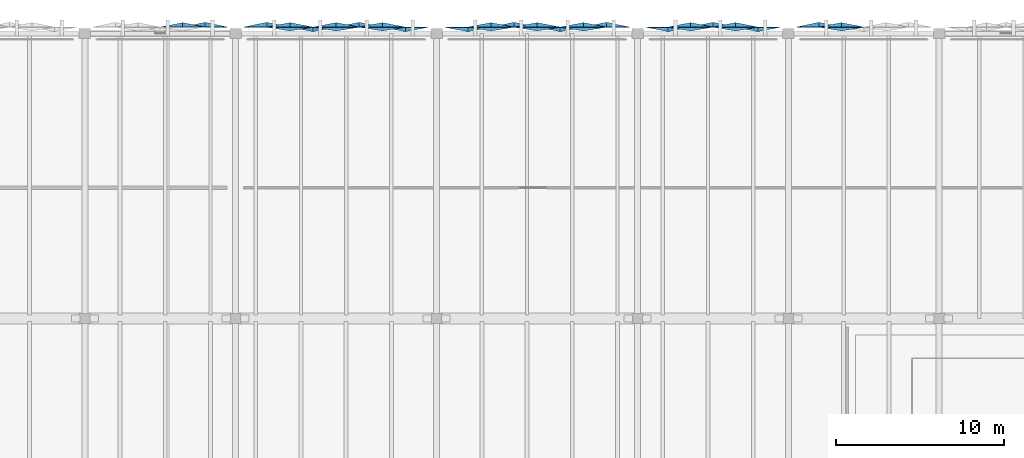
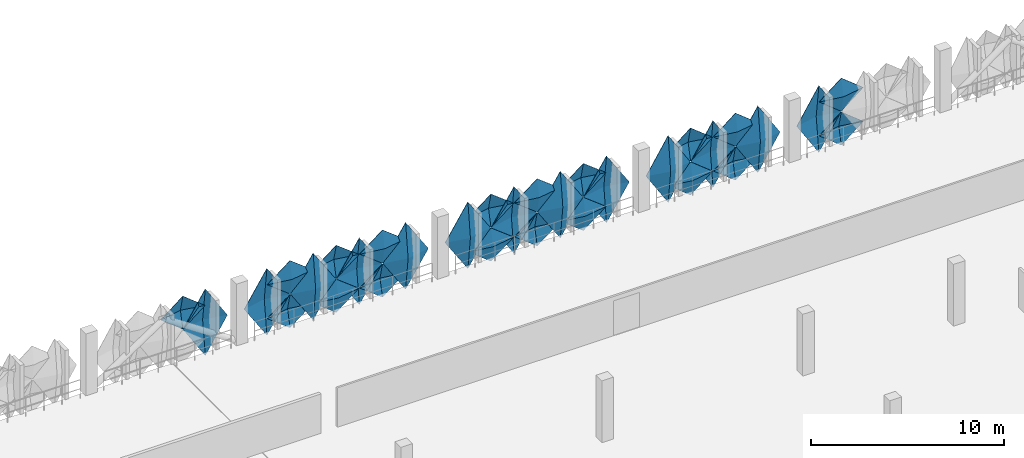
# One storey, part 42 of 52: 32 plates.
"""IFC4 building model written with IfcOpenShell, lengths in metres."""

from ifc_helpers import new_model, si_unit, derived_unit, direction, frame, origin, place, context, subcontext, project, spatial, polygons, material, layer, layer_set, type_object, element, save


model = new_model("IFC4")

# Units and contexts
model_context = context("Model", 3, precision=1e-05, world=origin(), true_north=direction((0.0, 1.0)))
body_context = subcontext(model_context, "Body", "Model", "MODEL_VIEW")
ifc_project = project(units=[si_unit("LENGTHUNIT", "METRE"), si_unit("AREAUNIT", "SQUARE_METRE"), si_unit("VOLUMEUNIT", "CUBIC_METRE"), si_unit("PLANEANGLEUNIT", "RADIAN"), si_unit("MASSUNIT", "GRAM", prefix="KILO"), si_unit("THERMODYNAMICTEMPERATUREUNIT", "KELVIN"), derived_unit("THERMALTRANSMITTANCEUNIT", [(si_unit("POWERUNIT", "WATT"), 1), (si_unit("AREAUNIT", "SQUARE_METRE"), -1), (si_unit("THERMODYNAMICTEMPERATUREUNIT", "KELVIN"), -1)])], contexts=[model_context])

# Site, building, storey
site_placement = place(None, origin())
site = spatial("IfcSite", under=ifc_project, at=site_placement, CompositionType="ELEMENT")
building_placement = place(site_placement, origin())
building = spatial("IfcBuilding", under=site, at=building_placement, Name="Haiyu Intermodal Mobility Hub", CompositionType="ELEMENT")
storey_placement = place(building_placement, frame((0.0, 0.0, 21.199951171875)))
storey = spatial("IfcBuildingStorey", under=building, at=storey_placement, Name="L05", CompositionType="ELEMENT", Elevation=21.199951171875)

# Plates
ifc_material = material(Name="Anodised aluminium 6063-T6", Category="aluminium")
ifc_layer_1 = layer(ifc_material, 0.01806640625)
ifc_layer_set_1 = layer_set([ifc_layer_1], Name="Anodised aluminium 6063-T6")
plate_type_1 = type_object("IfcPlateType", Name="PLT-FC01", PredefinedType="USERDEFINED", material=ifc_layer_set_1)
plate_1_placement = place(storey_placement, origin())
element("IfcPlate", 1, at=plate_1_placement, inside=storey, type_object=plate_type_1, Name="PLT-PYR-0330", ObjectType="FACADE CASSETTE", PredefinedType="USERDEFINED", context=body_context, shape_type="Tessellation", body=[
    polygons([(97.860107421875, 148.39990234375, -0.510009765625), (96.5, 148.39990234375, 1.60009765625), (97.860107421875, 148.39990234375, 3.7099609375), (99.219970703125, 148.39990234375, 1.60009765625), (97.860107421875, 148.679931640625, 1.60009765625), (97.860107421875, 148.3779296875, -0.510009765625), (96.5, 148.3779296875, 1.60009765625), (97.860107421875, 148.3779296875, 3.7099609375), (99.219970703125, 148.3779296875, 1.60009765625), (97.860107421875, 148.657958984375, 1.60009765625)], [[[1, 2, 5]], [[2, 3, 5]], [[3, 4, 5]], [[4, 1, 5]], [[7, 6, 10]], [[8, 7, 10]], [[9, 8, 10]], [[6, 9, 10]], [[1, 6, 7, 2]], [[2, 7, 8, 3]], [[3, 8, 9, 4]], [[4, 9, 6, 1]]], closed=True),
])
ifc_layer_2 = layer(ifc_material, 0.02001953125)
ifc_layer_set_2 = layer_set([ifc_layer_2], Name="Anodised aluminium 6063-T6")
plate_type_2 = type_object("IfcPlateType", Name="PLT-FC02", PredefinedType="USERDEFINED", material=ifc_layer_set_2)
plate_2_placement = place(storey_placement, origin())
element("IfcPlate", 2, at=plate_2_placement, inside=storey, type_object=plate_type_2, Name="PLT-PYR-0380", ObjectType="FACADE CASSETTE", PredefinedType="USERDEFINED", context=body_context, shape_type="Tessellation", body=[
    polygons([(109.860107421875, 148.39990234375, -0.510009765625), (108.5, 148.39990234375, 1.60009765625), (109.860107421875, 148.39990234375, 3.7099609375), (111.219970703125, 148.39990234375, 1.60009765625), (109.860107421875, 148.139892578125, 1.60009765625), (109.860107421875, 148.3779296875, -0.510009765625), (108.5, 148.3779296875, 1.60009765625), (109.860107421875, 148.3779296875, 3.7099609375), (111.219970703125, 148.3779296875, 1.60009765625), (109.860107421875, 148.117919921875, 1.60009765625)], [[[1, 2, 5]], [[2, 3, 5]], [[3, 4, 5]], [[4, 1, 5]], [[7, 6, 10]], [[8, 7, 10]], [[9, 8, 10]], [[6, 9, 10]], [[1, 6, 7, 2]], [[2, 7, 8, 3]], [[3, 8, 9, 4]], [[4, 9, 6, 1]]], closed=True),
])
ifc_layer_3 = layer(ifc_material, 0.01806640625)
ifc_layer_set_3 = layer_set([ifc_layer_3], Name="Anodised aluminium 6063-T6")
plate_type_3 = type_object("IfcPlateType", Name="PLT-FC03", PredefinedType="USERDEFINED", material=ifc_layer_set_3)
plate_3_placement = place(storey_placement, origin())
element("IfcPlate", 3, at=plate_3_placement, inside=storey, type_object=plate_type_3, Name="PLT-PYR-0274", ObjectType="FACADE CASSETTE", PredefinedType="USERDEFINED", context=body_context, shape_type="Tessellation", body=[
    polygons([(94.179931640625, 148.39990234375, -0.510009765625), (92.860107421875, 148.39990234375, 1.60009765625), (94.179931640625, 148.39990234375, 3.7099609375), (95.5, 148.39990234375, 1.60009765625), (94.179931640625, 148.679931640625, 1.60009765625), (94.179931640625, 148.3779296875, -0.510009765625), (92.860107421875, 148.3779296875, 1.60009765625), (94.179931640625, 148.3779296875, 3.7099609375), (95.5, 148.3779296875, 1.60009765625), (94.179931640625, 148.657958984375, 1.60009765625)], [[[1, 2, 5]], [[2, 3, 5]], [[3, 4, 5]], [[4, 1, 5]], [[7, 6, 10]], [[8, 7, 10]], [[9, 8, 10]], [[6, 9, 10]], [[1, 6, 7, 2]], [[2, 7, 8, 3]], [[3, 8, 9, 4]], [[4, 9, 6, 1]]], closed=True),
])
plate_4_placement = place(storey_placement, origin())
element("IfcPlate", 4, at=plate_4_placement, inside=storey, type_object=plate_type_3, Name="PLT-PYR-0322", ObjectType="FACADE CASSETTE", PredefinedType="USERDEFINED", context=body_context, shape_type="Tessellation", body=[
    polygons([(104.760009765625, 148.39990234375, -0.52001953125), (103.39990234375, 148.39990234375, 0.530029296875), (104.760009765625, 148.39990234375, 1.580078125), (106.1201171875, 148.39990234375, 0.530029296875), (104.760009765625, 148.659912109375, 0.530029296875), (104.760009765625, 148.3779296875, -0.52001953125), (103.39990234375, 148.3779296875, 0.530029296875), (104.760009765625, 148.3779296875, 1.580078125), (106.1201171875, 148.3779296875, 0.530029296875), (104.760009765625, 148.637939453125, 0.530029296875)], [[[1, 2, 5]], [[2, 3, 5]], [[3, 4, 5]], [[4, 1, 5]], [[7, 6, 10]], [[8, 7, 10]], [[9, 8, 10]], [[6, 9, 10]], [[1, 6, 7, 2]], [[2, 7, 8, 3]], [[3, 8, 9, 4]], [[4, 9, 6, 1]]], closed=True),
])
plate_5_placement = place(storey_placement, origin())
element("IfcPlate", 5, at=plate_5_placement, inside=storey, type_object=plate_type_3, Name="PLT-PYR-0328", ObjectType="FACADE CASSETTE", PredefinedType="USERDEFINED", context=body_context, shape_type="Tessellation", body=[
    polygons([(99.239990234375, 148.39990234375, -0.52001953125), (97.8798828125, 148.39990234375, 0.530029296875), (99.239990234375, 148.39990234375, 1.580078125), (100.60009765625, 148.39990234375, 0.530029296875), (99.239990234375, 148.659912109375, 0.530029296875), (99.239990234375, 148.3779296875, -0.52001953125), (97.8798828125, 148.3779296875, 0.530029296875), (99.239990234375, 148.3779296875, 1.580078125), (100.60009765625, 148.3779296875, 0.530029296875), (99.239990234375, 148.637939453125, 0.530029296875)], [[[1, 2, 5]], [[2, 3, 5]], [[3, 4, 5]], [[4, 1, 5]], [[7, 6, 10]], [[8, 7, 10]], [[9, 8, 10]], [[6, 9, 10]], [[1, 6, 7, 2]], [[2, 7, 8, 3]], [[3, 8, 9, 4]], [[4, 9, 6, 1]]], closed=True),
])
plate_6_placement = place(storey_placement, origin())
element("IfcPlate", 6, at=plate_6_placement, inside=storey, type_object=plate_type_3, Name="PLT-PYR-0371", ObjectType="FACADE CASSETTE", PredefinedType="USERDEFINED", context=body_context, shape_type="Tessellation", body=[
    polygons([(118.139892578125, 148.39990234375, -0.510009765625), (116.780029296875, 148.39990234375, 1.60009765625), (118.139892578125, 148.39990234375, 3.7099609375), (119.5, 148.39990234375, 1.60009765625), (118.139892578125, 148.679931640625, 1.60009765625), (118.139892578125, 148.3779296875, -0.510009765625), (116.780029296875, 148.3779296875, 1.60009765625), (118.139892578125, 148.3779296875, 3.7099609375), (119.5, 148.3779296875, 1.60009765625), (118.139892578125, 148.657958984375, 1.60009765625)], [[[1, 2, 5]], [[2, 3, 5]], [[3, 4, 5]], [[4, 1, 5]], [[7, 6, 10]], [[8, 7, 10]], [[9, 8, 10]], [[6, 9, 10]], [[1, 6, 7, 2]], [[2, 7, 8, 3]], [[3, 8, 9, 4]], [[4, 9, 6, 1]]], closed=True),
])
plate_7_placement = place(storey_placement, origin())
element("IfcPlate", 7, at=plate_7_placement, inside=storey, type_object=plate_type_3, Name="PLT-PYR-0375", ObjectType="FACADE CASSETTE", PredefinedType="USERDEFINED", context=body_context, shape_type="Tessellation", body=[
    polygons([(114.0, 148.39990234375, -0.52001953125), (112.639892578125, 148.39990234375, 0.530029296875), (114.0, 148.39990234375, 1.580078125), (115.360107421875, 148.39990234375, 0.530029296875), (114.0, 148.659912109375, 0.530029296875), (114.0, 148.3779296875, -0.52001953125), (112.639892578125, 148.3779296875, 0.530029296875), (114.0, 148.3779296875, 1.580078125), (115.360107421875, 148.3779296875, 0.530029296875), (114.0, 148.637939453125, 0.530029296875)], [[[1, 2, 5]], [[2, 3, 5]], [[3, 4, 5]], [[4, 1, 5]], [[7, 6, 10]], [[8, 7, 10]], [[9, 8, 10]], [[6, 9, 10]], [[1, 6, 7, 2]], [[2, 7, 8, 3]], [[3, 8, 9, 4]], [[4, 9, 6, 1]]], closed=True),
])
plate_8_placement = place(storey_placement, origin())
element("IfcPlate", 8, at=plate_8_placement, inside=storey, type_object=plate_type_3, Name="PLT-PYR-0410", ObjectType="FACADE CASSETTE", PredefinedType="USERDEFINED", context=body_context, shape_type="Tessellation", body=[
    polygons([(125.840087890625, 148.39990234375, -0.52001953125), (124.52001953125, 148.39990234375, 0.530029296875), (125.840087890625, 148.39990234375, 1.580078125), (127.159912109375, 148.39990234375, 0.530029296875), (125.840087890625, 148.659912109375, 0.530029296875), (125.840087890625, 148.3779296875, -0.52001953125), (124.52001953125, 148.3779296875, 0.530029296875), (125.840087890625, 148.3779296875, 1.580078125), (127.159912109375, 148.3779296875, 0.530029296875), (125.840087890625, 148.637939453125, 0.530029296875)], [[[1, 2, 5]], [[2, 3, 5]], [[3, 4, 5]], [[4, 1, 5]], [[7, 6, 10]], [[8, 7, 10]], [[9, 8, 10]], [[6, 9, 10]], [[1, 6, 7, 2]], [[2, 7, 8, 3]], [[3, 8, 9, 4]], [[4, 9, 6, 1]]], closed=True),
])
plate_9_placement = place(storey_placement, origin())
element("IfcPlate", 9, at=plate_9_placement, inside=storey, type_object=plate_type_3, Name="PLT-PYR-0448", ObjectType="FACADE CASSETTE", PredefinedType="USERDEFINED", context=body_context, shape_type="Tessellation", body=[
    polygons([(132.159912109375, 148.39990234375, -0.52001953125), (130.840087890625, 148.39990234375, 0.530029296875), (132.159912109375, 148.39990234375, 1.580078125), (133.47998046875, 148.39990234375, 0.530029296875), (132.159912109375, 148.659912109375, 0.530029296875), (132.159912109375, 148.3779296875, -0.52001953125), (130.840087890625, 148.3779296875, 0.530029296875), (132.159912109375, 148.3779296875, 1.580078125), (133.47998046875, 148.3779296875, 0.530029296875), (132.159912109375, 148.637939453125, 0.530029296875)], [[[1, 2, 5]], [[2, 3, 5]], [[3, 4, 5]], [[4, 1, 5]], [[7, 6, 10]], [[8, 7, 10]], [[9, 8, 10]], [[6, 9, 10]], [[1, 6, 7, 2]], [[2, 7, 8, 3]], [[3, 8, 9, 4]], [[4, 9, 6, 1]]], closed=True),
])
ifc_layer_4 = layer(ifc_material, 0.02001953125)
ifc_layer_set_4 = layer_set([ifc_layer_4], Name="Anodised aluminium 6063-T6")
plate_type_4 = type_object("IfcPlateType", Name="PLT-FC04", PredefinedType="USERDEFINED", material=ifc_layer_set_4)
plate_10_placement = place(storey_placement, origin())
element("IfcPlate", 10, at=plate_10_placement, inside=storey, type_object=plate_type_4, Name="PLT-PYR-0321", ObjectType="FACADE CASSETTE", PredefinedType="USERDEFINED", context=body_context, shape_type="Tessellation", body=[
    polygons([(106.139892578125, 148.39990234375, -0.510009765625), (104.780029296875, 148.39990234375, 1.60009765625), (106.139892578125, 148.39990234375, 3.7099609375), (107.5, 148.39990234375, 1.60009765625), (106.139892578125, 148.139892578125, 1.60009765625), (106.139892578125, 148.3779296875, -0.510009765625), (104.780029296875, 148.3779296875, 1.60009765625), (106.139892578125, 148.3779296875, 3.7099609375), (107.5, 148.3779296875, 1.60009765625), (106.139892578125, 148.117919921875, 1.60009765625)], [[[1, 2, 5]], [[2, 3, 5]], [[3, 4, 5]], [[4, 1, 5]], [[7, 6, 10]], [[8, 7, 10]], [[9, 8, 10]], [[6, 9, 10]], [[1, 6, 7, 2]], [[2, 7, 8, 3]], [[3, 8, 9, 4]], [[4, 9, 6, 1]]], closed=True),
])
plate_11_placement = place(storey_placement, origin())
element("IfcPlate", 11, at=plate_11_placement, inside=storey, type_object=plate_type_4, Name="PLT-PYR-0325", ObjectType="FACADE CASSETTE", PredefinedType="USERDEFINED", context=body_context, shape_type="Tessellation", body=[
    polygons([(102.0, 148.39990234375, -0.52001953125), (100.639892578125, 148.39990234375, 0.530029296875), (102.0, 148.39990234375, 1.580078125), (103.360107421875, 148.39990234375, 0.530029296875), (102.0, 148.179931640625, 0.530029296875), (102.0, 148.3779296875, -0.52001953125), (100.639892578125, 148.3779296875, 0.530029296875), (102.0, 148.3779296875, 1.580078125), (103.360107421875, 148.3779296875, 0.530029296875), (102.0, 148.157958984375, 0.530029296875)], [[[1, 2, 5]], [[2, 3, 5]], [[3, 4, 5]], [[4, 1, 5]], [[7, 6, 10]], [[8, 7, 10]], [[9, 8, 10]], [[6, 9, 10]], [[1, 6, 7, 2]], [[2, 7, 8, 3]], [[3, 8, 9, 4]], [[4, 9, 6, 1]]], closed=True),
])
plate_12_placement = place(storey_placement, origin())
element("IfcPlate", 12, at=plate_12_placement, inside=storey, type_object=plate_type_4, Name="PLT-PYR-0372", ObjectType="FACADE CASSETTE", PredefinedType="USERDEFINED", context=body_context, shape_type="Tessellation", body=[
    polygons([(116.760009765625, 148.39990234375, -0.52001953125), (115.39990234375, 148.39990234375, 0.530029296875), (116.760009765625, 148.39990234375, 1.580078125), (118.1201171875, 148.39990234375, 0.530029296875), (116.760009765625, 148.179931640625, 0.530029296875), (116.760009765625, 148.3779296875, -0.52001953125), (115.39990234375, 148.3779296875, 0.530029296875), (116.760009765625, 148.3779296875, 1.580078125), (118.1201171875, 148.3779296875, 0.530029296875), (116.760009765625, 148.157958984375, 0.530029296875)], [[[1, 2, 5]], [[2, 3, 5]], [[3, 4, 5]], [[4, 1, 5]], [[7, 6, 10]], [[8, 7, 10]], [[9, 8, 10]], [[6, 9, 10]], [[1, 6, 7, 2]], [[2, 7, 8, 3]], [[3, 8, 9, 4]], [[4, 9, 6, 1]]], closed=True),
])
plate_13_placement = place(storey_placement, origin())
element("IfcPlate", 13, at=plate_13_placement, inside=storey, type_object=plate_type_4, Name="PLT-PYR-0378", ObjectType="FACADE CASSETTE", PredefinedType="USERDEFINED", context=body_context, shape_type="Tessellation", body=[
    polygons([(111.239990234375, 148.39990234375, -0.52001953125), (109.8798828125, 148.39990234375, 0.530029296875), (111.239990234375, 148.39990234375, 1.580078125), (112.60009765625, 148.39990234375, 0.530029296875), (111.239990234375, 148.179931640625, 0.530029296875), (111.239990234375, 148.3779296875, -0.52001953125), (109.8798828125, 148.3779296875, 0.530029296875), (111.239990234375, 148.3779296875, 1.580078125), (112.60009765625, 148.3779296875, 0.530029296875), (111.239990234375, 148.157958984375, 0.530029296875)], [[[1, 2, 5]], [[2, 3, 5]], [[3, 4, 5]], [[4, 1, 5]], [[7, 6, 10]], [[8, 7, 10]], [[9, 8, 10]], [[6, 9, 10]], [[1, 6, 7, 2]], [[2, 7, 8, 3]], [[3, 8, 9, 4]], [[4, 9, 6, 1]]], closed=True),
])
plate_14_placement = place(storey_placement, origin())
element("IfcPlate", 14, at=plate_14_placement, inside=storey, type_object=plate_type_4, Name="PLT-PYR-0409", ObjectType="FACADE CASSETTE", PredefinedType="USERDEFINED", context=body_context, shape_type="Tessellation", body=[
    polygons([(127.179931640625, 148.39990234375, -0.510009765625), (125.860107421875, 148.39990234375, 1.60009765625), (127.179931640625, 148.39990234375, 3.7099609375), (128.5, 148.39990234375, 1.60009765625), (127.179931640625, 148.139892578125, 1.60009765625), (127.179931640625, 148.3779296875, -0.510009765625), (125.860107421875, 148.3779296875, 1.60009765625), (127.179931640625, 148.3779296875, 3.7099609375), (128.5, 148.3779296875, 1.60009765625), (127.179931640625, 148.117919921875, 1.60009765625)], [[[1, 2, 5]], [[2, 3, 5]], [[3, 4, 5]], [[4, 1, 5]], [[7, 6, 10]], [[8, 7, 10]], [[9, 8, 10]], [[6, 9, 10]], [[1, 6, 7, 2]], [[2, 7, 8, 3]], [[3, 8, 9, 4]], [[4, 9, 6, 1]]], closed=True),
])
plate_15_placement = place(storey_placement, origin())
element("IfcPlate", 15, at=plate_15_placement, inside=storey, type_object=plate_type_4, Name="PLT-PYR-0413", ObjectType="FACADE CASSETTE", PredefinedType="USERDEFINED", context=body_context, shape_type="Tessellation", body=[
    polygons([(123.159912109375, 148.39990234375, -0.52001953125), (121.840087890625, 148.39990234375, 0.530029296875), (123.159912109375, 148.39990234375, 1.580078125), (124.47998046875, 148.39990234375, 0.530029296875), (123.159912109375, 148.179931640625, 0.530029296875), (123.159912109375, 148.3779296875, -0.52001953125), (121.840087890625, 148.3779296875, 0.530029296875), (123.159912109375, 148.3779296875, 1.580078125), (124.47998046875, 148.3779296875, 0.530029296875), (123.159912109375, 148.157958984375, 0.530029296875)], [[[1, 2, 5]], [[2, 3, 5]], [[3, 4, 5]], [[4, 1, 5]], [[7, 6, 10]], [[8, 7, 10]], [[9, 8, 10]], [[6, 9, 10]], [[1, 6, 7, 2]], [[2, 7, 8, 3]], [[3, 8, 9, 4]], [[4, 9, 6, 1]]], closed=True),
])
ifc_layer_5 = layer(ifc_material, 0.01806640625)
ifc_layer_set_5 = layer_set([ifc_layer_5], Name="Anodised aluminium 6063-T6")
plate_type_5 = type_object("IfcPlateType", Name="PLT-FC05", PredefinedType="USERDEFINED", material=ifc_layer_set_5)
plate_16_placement = place(storey_placement, origin())
element("IfcPlate", 16, at=plate_16_placement, inside=storey, type_object=plate_type_5, Name="PLT-PYR-0276", ObjectType="FACADE CASSETTE", PredefinedType="USERDEFINED", context=body_context, shape_type="Tessellation", body=[
    polygons([(92.840087890625, 148.39990234375, 1.6201171875), (91.52001953125, 148.39990234375, 2.670166015625), (92.840087890625, 148.39990234375, 3.719970703125), (94.159912109375, 148.39990234375, 2.670166015625), (92.840087890625, 148.659912109375, 2.670166015625), (92.840087890625, 148.3779296875, 1.6201171875), (91.52001953125, 148.3779296875, 2.670166015625), (92.840087890625, 148.3779296875, 3.719970703125), (94.159912109375, 148.3779296875, 2.670166015625), (92.840087890625, 148.637939453125, 2.670166015625)], [[[1, 2, 5]], [[2, 3, 5]], [[3, 4, 5]], [[4, 1, 5]], [[7, 6, 10]], [[8, 7, 10]], [[9, 8, 10]], [[6, 9, 10]], [[1, 6, 7, 2]], [[2, 7, 8, 3]], [[3, 8, 9, 4]], [[4, 9, 6, 1]]], closed=True),
])
plate_17_placement = place(storey_placement, origin())
element("IfcPlate", 17, at=plate_17_placement, inside=storey, type_object=plate_type_5, Name="PLT-PYR-0324", ObjectType="FACADE CASSETTE", PredefinedType="USERDEFINED", context=body_context, shape_type="Tessellation", body=[
    polygons([(103.3798828125, 148.39990234375, -0.510009765625), (102.02001953125, 148.39990234375, 1.60009765625), (103.3798828125, 148.39990234375, 3.7099609375), (104.739990234375, 148.39990234375, 1.60009765625), (103.3798828125, 148.679931640625, 1.60009765625), (103.3798828125, 148.3779296875, -0.510009765625), (102.02001953125, 148.3779296875, 1.60009765625), (103.3798828125, 148.3779296875, 3.7099609375), (104.739990234375, 148.3779296875, 1.60009765625), (103.3798828125, 148.657958984375, 1.60009765625)], [[[1, 2, 5]], [[2, 3, 5]], [[3, 4, 5]], [[4, 1, 5]], [[7, 6, 10]], [[8, 7, 10]], [[9, 8, 10]], [[6, 9, 10]], [[1, 6, 7, 2]], [[2, 7, 8, 3]], [[3, 8, 9, 4]], [[4, 9, 6, 1]]], closed=True),
])
plate_18_placement = place(storey_placement, origin())
element("IfcPlate", 18, at=plate_18_placement, inside=storey, type_object=plate_type_5, Name="PLT-PYR-0326", ObjectType="FACADE CASSETTE", PredefinedType="USERDEFINED", context=body_context, shape_type="Tessellation", body=[
    polygons([(102.0, 148.39990234375, 1.6201171875), (100.639892578125, 148.39990234375, 2.670166015625), (102.0, 148.39990234375, 3.719970703125), (103.360107421875, 148.39990234375, 2.670166015625), (102.0, 148.659912109375, 2.670166015625), (102.0, 148.3779296875, 1.6201171875), (100.639892578125, 148.3779296875, 2.670166015625), (102.0, 148.3779296875, 3.719970703125), (103.360107421875, 148.3779296875, 2.670166015625), (102.0, 148.637939453125, 2.670166015625)], [[[1, 2, 5]], [[2, 3, 5]], [[3, 4, 5]], [[4, 1, 5]], [[7, 6, 10]], [[8, 7, 10]], [[9, 8, 10]], [[6, 9, 10]], [[1, 6, 7, 2]], [[2, 7, 8, 3]], [[3, 8, 9, 4]], [[4, 9, 6, 1]]], closed=True),
])
plate_19_placement = place(storey_placement, origin())
element("IfcPlate", 19, at=plate_19_placement, inside=storey, type_object=plate_type_5, Name="PLT-PYR-0373", ObjectType="FACADE CASSETTE", PredefinedType="USERDEFINED", context=body_context, shape_type="Tessellation", body=[
    polygons([(116.760009765625, 148.39990234375, 1.6201171875), (115.39990234375, 148.39990234375, 2.670166015625), (116.760009765625, 148.39990234375, 3.719970703125), (118.1201171875, 148.39990234375, 2.670166015625), (116.760009765625, 148.659912109375, 2.670166015625), (116.760009765625, 148.3779296875, 1.6201171875), (115.39990234375, 148.3779296875, 2.670166015625), (116.760009765625, 148.3779296875, 3.719970703125), (118.1201171875, 148.3779296875, 2.670166015625), (116.760009765625, 148.637939453125, 2.670166015625)], [[[1, 2, 5]], [[2, 3, 5]], [[3, 4, 5]], [[4, 1, 5]], [[7, 6, 10]], [[8, 7, 10]], [[9, 8, 10]], [[6, 9, 10]], [[1, 6, 7, 2]], [[2, 7, 8, 3]], [[3, 8, 9, 4]], [[4, 9, 6, 1]]], closed=True),
])
plate_20_placement = place(storey_placement, origin())
element("IfcPlate", 20, at=plate_20_placement, inside=storey, type_object=plate_type_5, Name="PLT-PYR-0379", ObjectType="FACADE CASSETTE", PredefinedType="USERDEFINED", context=body_context, shape_type="Tessellation", body=[
    polygons([(111.239990234375, 148.39990234375, 1.6201171875), (109.8798828125, 148.39990234375, 2.670166015625), (111.239990234375, 148.39990234375, 3.719970703125), (112.60009765625, 148.39990234375, 2.670166015625), (111.239990234375, 148.659912109375, 2.670166015625), (111.239990234375, 148.3779296875, 1.6201171875), (109.8798828125, 148.3779296875, 2.670166015625), (111.239990234375, 148.3779296875, 3.719970703125), (112.60009765625, 148.3779296875, 2.670166015625), (111.239990234375, 148.637939453125, 2.670166015625)], [[[1, 2, 5]], [[2, 3, 5]], [[3, 4, 5]], [[4, 1, 5]], [[7, 6, 10]], [[8, 7, 10]], [[9, 8, 10]], [[6, 9, 10]], [[1, 6, 7, 2]], [[2, 7, 8, 3]], [[3, 8, 9, 4]], [[4, 9, 6, 1]]], closed=True),
])
plate_21_placement = place(storey_placement, origin())
element("IfcPlate", 21, at=plate_21_placement, inside=storey, type_object=plate_type_5, Name="PLT-PYR-0412", ObjectType="FACADE CASSETTE", PredefinedType="USERDEFINED", context=body_context, shape_type="Tessellation", body=[
    polygons([(124.5, 148.39990234375, -0.510009765625), (123.179931640625, 148.39990234375, 1.60009765625), (124.5, 148.39990234375, 3.7099609375), (125.820068359375, 148.39990234375, 1.60009765625), (124.5, 148.679931640625, 1.60009765625), (124.5, 148.3779296875, -0.510009765625), (123.179931640625, 148.3779296875, 1.60009765625), (124.5, 148.3779296875, 3.7099609375), (125.820068359375, 148.3779296875, 1.60009765625), (124.5, 148.657958984375, 1.60009765625)], [[[1, 2, 5]], [[2, 3, 5]], [[3, 4, 5]], [[4, 1, 5]], [[7, 6, 10]], [[8, 7, 10]], [[9, 8, 10]], [[6, 9, 10]], [[1, 6, 7, 2]], [[2, 7, 8, 3]], [[3, 8, 9, 4]], [[4, 9, 6, 1]]], closed=True),
])
plate_22_placement = place(storey_placement, origin())
element("IfcPlate", 22, at=plate_22_placement, inside=storey, type_object=plate_type_5, Name="PLT-PYR-0414", ObjectType="FACADE CASSETTE", PredefinedType="USERDEFINED", context=body_context, shape_type="Tessellation", body=[
    polygons([(123.159912109375, 148.39990234375, 1.6201171875), (121.840087890625, 148.39990234375, 2.670166015625), (123.159912109375, 148.39990234375, 3.719970703125), (124.47998046875, 148.39990234375, 2.670166015625), (123.159912109375, 148.659912109375, 2.670166015625), (123.159912109375, 148.3779296875, 1.6201171875), (121.840087890625, 148.3779296875, 2.670166015625), (123.159912109375, 148.3779296875, 3.719970703125), (124.47998046875, 148.3779296875, 2.670166015625), (123.159912109375, 148.637939453125, 2.670166015625)], [[[1, 2, 5]], [[2, 3, 5]], [[3, 4, 5]], [[4, 1, 5]], [[7, 6, 10]], [[8, 7, 10]], [[9, 8, 10]], [[6, 9, 10]], [[1, 6, 7, 2]], [[2, 7, 8, 3]], [[3, 8, 9, 4]], [[4, 9, 6, 1]]], closed=True),
])
ifc_layer_6 = layer(ifc_material, 0.02001953125)
ifc_layer_set_6 = layer_set([ifc_layer_6], Name="Anodised aluminium 6063-T6")
plate_type_6 = type_object("IfcPlateType", Name="PLT-FC06", PredefinedType="USERDEFINED", material=ifc_layer_set_6)
plate_23_placement = place(storey_placement, origin())
element("IfcPlate", 23, at=plate_23_placement, inside=storey, type_object=plate_type_6, Name="PLT-PYR-0323", ObjectType="FACADE CASSETTE", PredefinedType="USERDEFINED", context=body_context, shape_type="Tessellation", body=[
    polygons([(104.760009765625, 148.39990234375, 1.6201171875), (103.39990234375, 148.39990234375, 2.670166015625), (104.760009765625, 148.39990234375, 3.719970703125), (106.1201171875, 148.39990234375, 2.670166015625), (104.760009765625, 148.179931640625, 2.670166015625), (104.760009765625, 148.3779296875, 1.6201171875), (103.39990234375, 148.3779296875, 2.670166015625), (104.760009765625, 148.3779296875, 3.719970703125), (106.1201171875, 148.3779296875, 2.670166015625), (104.760009765625, 148.157958984375, 2.670166015625)], [[[1, 2, 5]], [[2, 3, 5]], [[3, 4, 5]], [[4, 1, 5]], [[7, 6, 10]], [[8, 7, 10]], [[9, 8, 10]], [[6, 9, 10]], [[1, 6, 7, 2]], [[2, 7, 8, 3]], [[3, 8, 9, 4]], [[4, 9, 6, 1]]], closed=True),
])
plate_24_placement = place(storey_placement, origin())
element("IfcPlate", 24, at=plate_24_placement, inside=storey, type_object=plate_type_6, Name="PLT-PYR-0329", ObjectType="FACADE CASSETTE", PredefinedType="USERDEFINED", context=body_context, shape_type="Tessellation", body=[
    polygons([(99.239990234375, 148.39990234375, 1.6201171875), (97.8798828125, 148.39990234375, 2.670166015625), (99.239990234375, 148.39990234375, 3.719970703125), (100.60009765625, 148.39990234375, 2.670166015625), (99.239990234375, 148.179931640625, 2.670166015625), (99.239990234375, 148.3779296875, 1.6201171875), (97.8798828125, 148.3779296875, 2.670166015625), (99.239990234375, 148.3779296875, 3.719970703125), (100.60009765625, 148.3779296875, 2.670166015625), (99.239990234375, 148.157958984375, 2.670166015625)], [[[1, 2, 5]], [[2, 3, 5]], [[3, 4, 5]], [[4, 1, 5]], [[7, 6, 10]], [[8, 7, 10]], [[9, 8, 10]], [[6, 9, 10]], [[1, 6, 7, 2]], [[2, 7, 8, 3]], [[3, 8, 9, 4]], [[4, 9, 6, 1]]], closed=True),
])
plate_25_placement = place(storey_placement, origin())
element("IfcPlate", 25, at=plate_25_placement, inside=storey, type_object=plate_type_6, Name="PLT-PYR-0374", ObjectType="FACADE CASSETTE", PredefinedType="USERDEFINED", context=body_context, shape_type="Tessellation", body=[
    polygons([(115.3798828125, 148.39990234375, -0.510009765625), (114.02001953125, 148.39990234375, 1.60009765625), (115.3798828125, 148.39990234375, 3.7099609375), (116.739990234375, 148.39990234375, 1.60009765625), (115.3798828125, 148.139892578125, 1.60009765625), (115.3798828125, 148.3779296875, -0.510009765625), (114.02001953125, 148.3779296875, 1.60009765625), (115.3798828125, 148.3779296875, 3.7099609375), (116.739990234375, 148.3779296875, 1.60009765625), (115.3798828125, 148.117919921875, 1.60009765625)], [[[1, 2, 5]], [[2, 3, 5]], [[3, 4, 5]], [[4, 1, 5]], [[7, 6, 10]], [[8, 7, 10]], [[9, 8, 10]], [[6, 9, 10]], [[1, 6, 7, 2]], [[2, 7, 8, 3]], [[3, 8, 9, 4]], [[4, 9, 6, 1]]], closed=True),
])
plate_26_placement = place(storey_placement, origin())
element("IfcPlate", 26, at=plate_26_placement, inside=storey, type_object=plate_type_6, Name="PLT-PYR-0376", ObjectType="FACADE CASSETTE", PredefinedType="USERDEFINED", context=body_context, shape_type="Tessellation", body=[
    polygons([(114.0, 148.39990234375, 1.6201171875), (112.639892578125, 148.39990234375, 2.670166015625), (114.0, 148.39990234375, 3.719970703125), (115.360107421875, 148.39990234375, 2.670166015625), (114.0, 148.179931640625, 2.670166015625), (114.0, 148.3779296875, 1.6201171875), (112.639892578125, 148.3779296875, 2.670166015625), (114.0, 148.3779296875, 3.719970703125), (115.360107421875, 148.3779296875, 2.670166015625), (114.0, 148.157958984375, 2.670166015625)], [[[1, 2, 5]], [[2, 3, 5]], [[3, 4, 5]], [[4, 1, 5]], [[7, 6, 10]], [[8, 7, 10]], [[9, 8, 10]], [[6, 9, 10]], [[1, 6, 7, 2]], [[2, 7, 8, 3]], [[3, 8, 9, 4]], [[4, 9, 6, 1]]], closed=True),
])
plate_27_placement = place(storey_placement, origin())
element("IfcPlate", 27, at=plate_27_placement, inside=storey, type_object=plate_type_6, Name="PLT-PYR-0411", ObjectType="FACADE CASSETTE", PredefinedType="USERDEFINED", context=body_context, shape_type="Tessellation", body=[
    polygons([(125.840087890625, 148.39990234375, 1.6201171875), (124.52001953125, 148.39990234375, 2.670166015625), (125.840087890625, 148.39990234375, 3.719970703125), (127.159912109375, 148.39990234375, 2.670166015625), (125.840087890625, 148.179931640625, 2.670166015625), (125.840087890625, 148.3779296875, 1.6201171875), (124.52001953125, 148.3779296875, 2.670166015625), (125.840087890625, 148.3779296875, 3.719970703125), (127.159912109375, 148.3779296875, 2.670166015625), (125.840087890625, 148.157958984375, 2.670166015625)], [[[1, 2, 5]], [[2, 3, 5]], [[3, 4, 5]], [[4, 1, 5]], [[7, 6, 10]], [[8, 7, 10]], [[9, 8, 10]], [[6, 9, 10]], [[1, 6, 7, 2]], [[2, 7, 8, 3]], [[3, 8, 9, 4]], [[4, 9, 6, 1]]], closed=True),
])
plate_28_placement = place(storey_placement, origin())
element("IfcPlate", 28, at=plate_28_placement, inside=storey, type_object=plate_type_6, Name="PLT-PYR-0449", ObjectType="FACADE CASSETTE", PredefinedType="USERDEFINED", context=body_context, shape_type="Tessellation", body=[
    polygons([(132.159912109375, 148.39990234375, 1.6201171875), (130.840087890625, 148.39990234375, 2.670166015625), (132.159912109375, 148.39990234375, 3.719970703125), (133.47998046875, 148.39990234375, 2.670166015625), (132.159912109375, 148.179931640625, 2.670166015625), (132.159912109375, 148.3779296875, 1.6201171875), (130.840087890625, 148.3779296875, 2.670166015625), (132.159912109375, 148.3779296875, 3.719970703125), (133.47998046875, 148.3779296875, 2.670166015625), (132.159912109375, 148.157958984375, 2.670166015625)], [[[1, 2, 5]], [[2, 3, 5]], [[3, 4, 5]], [[4, 1, 5]], [[7, 6, 10]], [[8, 7, 10]], [[9, 8, 10]], [[6, 9, 10]], [[1, 6, 7, 2]], [[2, 7, 8, 3]], [[3, 8, 9, 4]], [[4, 9, 6, 1]]], closed=True),
])
ifc_layer_7 = layer(ifc_material, 0.02197265625)
ifc_layer_set_7 = layer_set([ifc_layer_7], Name="Anodised aluminium 6063-T6")
plate_type_7 = type_object("IfcPlateType", Name="PLT-FC07", PredefinedType="USERDEFINED", material=ifc_layer_set_7)
plate_29_placement = place(storey_placement, origin())
element("IfcPlate", 29, at=plate_29_placement, inside=storey, type_object=plate_type_7, Name="PLT-PYR-0377", ObjectType="FACADE CASSETTE", PredefinedType="USERDEFINED", context=body_context, shape_type="Tessellation", body=[
    polygons([(112.6201171875, 148.39990234375, -0.510009765625), (111.260009765625, 148.39990234375, 1.60009765625), (112.6201171875, 148.39990234375, 3.7099609375), (113.97998046875, 148.39990234375, 1.60009765625), (112.6201171875, 148.679931640625, 1.60009765625), (112.6201171875, 148.3779296875, -0.510009765625), (111.260009765625, 148.3779296875, 1.60009765625), (112.6201171875, 148.3779296875, 3.7099609375), (113.97998046875, 148.3779296875, 1.60009765625), (112.6201171875, 148.657958984375, 1.60009765625)], [[[1, 2, 5]], [[2, 3, 5]], [[3, 4, 5]], [[4, 1, 5]], [[7, 6, 10]], [[8, 7, 10]], [[9, 8, 10]], [[6, 9, 10]], [[1, 6, 7, 2]], [[2, 7, 8, 3]], [[3, 8, 9, 4]], [[4, 9, 6, 1]]], closed=True),
])
plate_30_placement = place(storey_placement, origin())
element("IfcPlate", 30, at=plate_30_placement, inside=storey, type_object=plate_type_7, Name="PLT-PYR-0450", ObjectType="FACADE CASSETTE", PredefinedType="USERDEFINED", context=body_context, shape_type="Tessellation", body=[
    polygons([(130.820068359375, 148.39990234375, -0.510009765625), (129.5, 148.39990234375, 1.60009765625), (130.820068359375, 148.39990234375, 3.7099609375), (132.139892578125, 148.39990234375, 1.60009765625), (130.820068359375, 148.679931640625, 1.60009765625), (130.820068359375, 148.3779296875, -0.510009765625), (129.5, 148.3779296875, 1.60009765625), (130.820068359375, 148.3779296875, 3.7099609375), (132.139892578125, 148.3779296875, 1.60009765625), (130.820068359375, 148.657958984375, 1.60009765625)], [[[1, 2, 5]], [[2, 3, 5]], [[3, 4, 5]], [[4, 1, 5]], [[7, 6, 10]], [[8, 7, 10]], [[9, 8, 10]], [[6, 9, 10]], [[1, 6, 7, 2]], [[2, 7, 8, 3]], [[3, 8, 9, 4]], [[4, 9, 6, 1]]], closed=True),
])
ifc_layer_8 = layer(ifc_material, 0.02392578125)
ifc_layer_set_8 = layer_set([ifc_layer_8], Name="Anodised aluminium 6063-T6")
plate_type_8 = type_object("IfcPlateType", Name="PLT-FC08", PredefinedType="USERDEFINED", material=ifc_layer_set_8)
plate_31_placement = place(storey_placement, origin())
element("IfcPlate", 31, at=plate_31_placement, inside=storey, type_object=plate_type_8, Name="PLT-PYR-0327", ObjectType="FACADE CASSETTE", PredefinedType="USERDEFINED", context=body_context, shape_type="Tessellation", body=[
    polygons([(100.6201171875, 148.39990234375, -0.510009765625), (99.260009765625, 148.39990234375, 1.60009765625), (100.6201171875, 148.39990234375, 3.7099609375), (101.97998046875, 148.39990234375, 1.60009765625), (100.6201171875, 148.139892578125, 1.60009765625), (100.6201171875, 148.3779296875, -0.510009765625), (99.260009765625, 148.3779296875, 1.60009765625), (100.6201171875, 148.3779296875, 3.7099609375), (101.97998046875, 148.3779296875, 1.60009765625), (100.6201171875, 148.117919921875, 1.60009765625)], [[[1, 2, 5]], [[2, 3, 5]], [[3, 4, 5]], [[4, 1, 5]], [[7, 6, 10]], [[8, 7, 10]], [[9, 8, 10]], [[6, 9, 10]], [[1, 6, 7, 2]], [[2, 7, 8, 3]], [[3, 8, 9, 4]], [[4, 9, 6, 1]]], closed=True),
])
plate_32_placement = place(storey_placement, origin())
element("IfcPlate", 32, at=plate_32_placement, inside=storey, type_object=plate_type_8, Name="PLT-PYR-0415", ObjectType="FACADE CASSETTE", PredefinedType="USERDEFINED", context=body_context, shape_type="Tessellation", body=[
    polygons([(121.820068359375, 148.39990234375, -0.510009765625), (120.5, 148.39990234375, 1.60009765625), (121.820068359375, 148.39990234375, 3.7099609375), (123.139892578125, 148.39990234375, 1.60009765625), (121.820068359375, 148.139892578125, 1.60009765625), (121.820068359375, 148.3779296875, -0.510009765625), (120.5, 148.3779296875, 1.60009765625), (121.820068359375, 148.3779296875, 3.7099609375), (123.139892578125, 148.3779296875, 1.60009765625), (121.820068359375, 148.117919921875, 1.60009765625)], [[[1, 2, 5]], [[2, 3, 5]], [[3, 4, 5]], [[4, 1, 5]], [[7, 6, 10]], [[8, 7, 10]], [[9, 8, 10]], [[6, 9, 10]], [[1, 6, 7, 2]], [[2, 7, 8, 3]], [[3, 8, 9, 4]], [[4, 9, 6, 1]]], closed=True),
])

save(model, "model.ifc")
